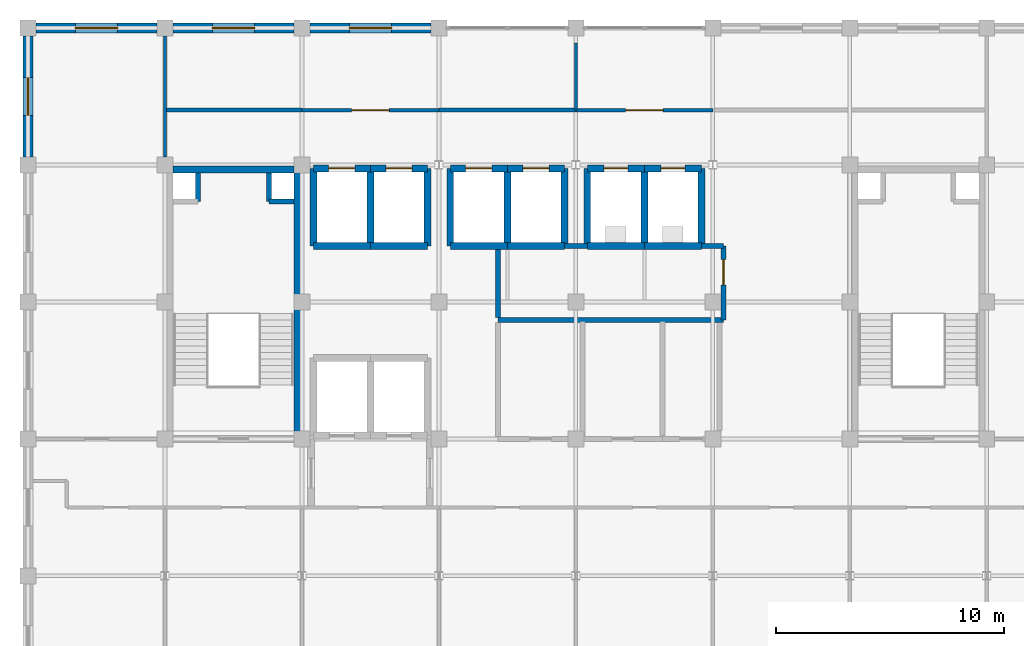
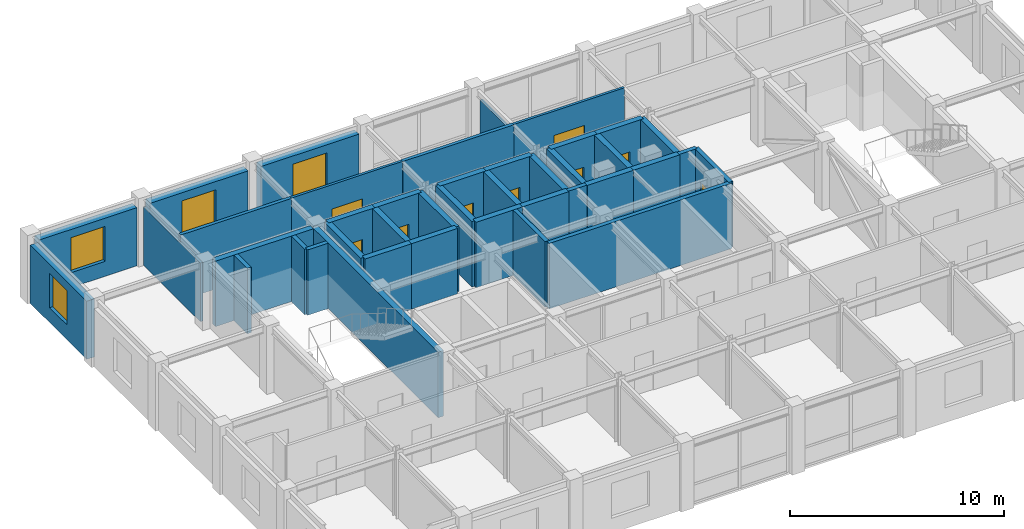
# One storey, part 9 of 12: 41 walls, 9 doors, 4 windows, 13 openings.
"""IFC4 building model written with IfcOpenShell, lengths in metres."""

import ifcopenshell
import ifcopenshell.guid

model = None  # the IFC model being written
_history = None  # IfcOwnerHistory: only IFC2X3 demands one
_inside = {}  # id of a spatial element -> (the spatial element, [elements in it])
_under = {}  # id of a project, library or spatial element -> (it, [spatial elements below it])
_declared = {}  # id of a project -> (the project, [libraries it declares])
_typed = {}  # id of a type object -> (the type object, [elements of that type])
_made_of = {}  # id of a material, layer set ... -> (it, [elements and type objects made of it])


def new_model(schema):
    """Start an empty IFC model of exactly this schema.

    Asked for "IFC4X3", IfcOpenShell would pick the latest addendum, in which some entities
    have other attributes; the version numbers below select the first issue.
    IFC2X3 requires an IfcOwnerHistory on every rooted entity: one is made here for all.
    """
    global model, _history
    if schema == "IFC4X3":
        model = ifcopenshell.file(schema_version=(4, 3, 0, 0))
    else:
        model = ifcopenshell.file(schema=schema)
    _inside.clear()
    _under.clear()
    _declared.clear()
    _typed.clear()
    _made_of.clear()
    _history = None
    if model.schema == "IFC2X3":
        org = make("IfcOrganization", Name="unknown")
        user = make(
            "IfcPersonAndOrganization",
            ThePerson=make("IfcPerson", FamilyName="unknown"),
            TheOrganization=org,
        )
        app = make(
            "IfcApplication",
            ApplicationDeveloper=org,
            Version="unknown",
            ApplicationFullName="unknown",
            ApplicationIdentifier="unknown",
        )
        _history = make(
            "IfcOwnerHistory",
            OwningUser=user,
            OwningApplication=app,
            ChangeAction="ADDED",
            CreationDate=0,
        )
    return model


def make(cls, **values):
    """One entity of the class cls with the attributes given. An attribute that is None is left unset."""
    return model.create_entity(
        cls, **{name: value for name, value in values.items() if value is not None}
    )


def rooted(cls, **values):
    """An entity with a GlobalId (a new one), such as an element, a storey or a relation."""
    return make(cls, GlobalId=ifcopenshell.guid.new(), OwnerHistory=_history, **values)


def si_unit(unit_type, name, prefix=None):
    """IfcSIUnit, for example si_unit("LENGTHUNIT", "METRE", prefix="MILLI")."""
    return make("IfcSIUnit", UnitType=unit_type, Prefix=prefix, Name=name)


def assignment(units):
    """IfcUnitAssignment: the units of a project."""
    return None if units is None else make("IfcUnitAssignment", Units=units)


def point(xyz):
    """IfcCartesianPoint."""
    return None if xyz is None else make("IfcCartesianPoint", Coordinates=xyz)


def direction(xyz):
    """IfcDirection."""
    return None if xyz is None else make("IfcDirection", DirectionRatios=xyz)


def frame(location, z_axis=None, x_axis=None):
    """IfcAxis2Placement3D, a coordinate frame: its origin and axes. An axis left out is left unset."""
    return make(
        "IfcAxis2Placement3D",
        Location=point(location),
        Axis=direction(z_axis),
        RefDirection=direction(x_axis),
    )


def frame_2d(location, x_axis=None):
    """IfcAxis2Placement2D, a coordinate frame in the plane: its origin and x axis."""
    return make(
        "IfcAxis2Placement2D", Location=point(location), RefDirection=direction(x_axis)
    )


def origin():
    """The frame at (0, 0, 0) with its axes left unset."""
    return frame((0.0, 0.0, 0.0))


def place(relative_to, where):
    """IfcLocalPlacement: puts the frame where relative to a parent placement (None: the world)."""
    return make(
        "IfcLocalPlacement", PlacementRelTo=relative_to, RelativePlacement=where
    )


def context(
    kind, dimensions, precision=None, world=None, true_north=None, identifier=None
):
    """IfcGeometricRepresentationContext, for example the 3D "Model" context."""
    return make(
        "IfcGeometricRepresentationContext",
        ContextIdentifier=identifier,
        ContextType=kind,
        CoordinateSpaceDimension=dimensions,
        Precision=precision,
        WorldCoordinateSystem=world,
        TrueNorth=true_north,
    )


def subcontext(parent, identifier, kind, view, scale=None):
    """IfcGeometricRepresentationSubContext, for example "Body" below "Model"."""
    return make(
        "IfcGeometricRepresentationSubContext",
        ContextIdentifier=identifier,
        ContextType=kind,
        ParentContext=parent,
        TargetScale=scale,
        TargetView=view,
    )


def project(units=None, contexts=None):
    """IfcProject with its units and contexts."""
    return rooted(
        "IfcProject",
        Name="project",
        RepresentationContexts=contexts,
        UnitsInContext=assignment(units),
    )


def spatial(cls, under=None, at=None, **own):
    """A site, building, storey or space (cls), placed at a placement, below another one or the project."""
    s = rooted(cls, ObjectPlacement=at, **own)
    if under is not None:
        _under.setdefault(under.id(), (under, []))[1].append(s)
    return s


def profile(cls, at=None, kind="AREA", **sizes):
    """A parametric profile (cls). Its sizes go by their IFC names, for example OverallWidth=200.0."""
    return make(cls, ProfileType=kind, Position=at, **sizes)


def rectangle(**sizes):
    """IfcRectangleProfileDef."""
    return profile("IfcRectangleProfileDef", **sizes)


def extrude(swept, where, along, depth):
    """IfcExtrudedAreaSolid: the profile swept, set in the frame where, extruded along a direction by depth."""
    return make(
        "IfcExtrudedAreaSolid",
        SweptArea=swept,
        Position=where,
        ExtrudedDirection=direction(along),
        Depth=depth,
    )


def shape(context_of_items, identifier, shape_type, items):
    """IfcShapeRepresentation: the items that make up one representation, for example the "Body"."""
    return make(
        "IfcShapeRepresentation",
        ContextOfItems=context_of_items,
        RepresentationIdentifier=identifier,
        RepresentationType=shape_type,
        Items=items,
    )


def material(Name=None, Category=None):
    """IfcMaterial."""
    return make("IfcMaterial", Name=Name, Category=Category)


def layer(
    of_material, thickness, ventilated=None, Name=None, Category=None, Priority=None
):
    """IfcMaterialLayer: one layer of a wall or slab, of a material (None: an air gap)."""
    return make(
        "IfcMaterialLayer",
        Material=of_material,
        LayerThickness=thickness,
        IsVentilated=ventilated,
        Name=Name,
        Category=Category,
        Priority=Priority,
    )


def layer_set(layers, Name=None):
    """IfcMaterialLayerSet."""
    return make("IfcMaterialLayerSet", MaterialLayers=layers, LayerSetName=Name)


def made_of(thing, what):
    """Note that an element or type object is made of a material, layer set ...; save() writes the relation."""
    if what is not None:
        _made_of.setdefault(what.id(), (what, []))[1].append(thing)
    return thing


def type_object(cls, material=None, **own):
    """A type object (cls), such as IfcWallType, which elements share."""
    return made_of(rooted(cls, **own), material)


def element(
    cls,
    number,
    at=None,
    inside=None,
    cuts=None,
    type_object=None,
    material=None,
    context=None,
    identifier="Body",
    shape_type=None,
    held_by="IfcProductDefinitionShape",
    body=None,
    shapes=None,
    **own,
):
    """One element of the class cls, such as IfcWall. Its Tag is "e" and its number.

    at: its placement. inside: the storey or other place that contains it. cuts: it is an
    opening in that element (IfcRelVoidsElement). A single representation is given by context,
    identifier, shape_type and body (its items); several are given by shapes. held_by: the class
    of the entity that holds the representations. save() writes the other relations.
    """
    e = rooted(cls, Tag="e%d" % number, ObjectPlacement=at, **own)
    if body is not None:
        shapes = [shape(context, identifier, shape_type, body)]
    if shapes is not None:
        e.Representation = make(held_by, Representations=shapes)
    if inside is not None:
        _inside.setdefault(inside.id(), (inside, []))[1].append(e)
    if cuts is not None:
        rooted(
            "IfcRelVoidsElement", RelatingBuildingElement=cuts, RelatedOpeningElement=e
        )
    if type_object is not None:
        _typed.setdefault(type_object.id(), (type_object, []))[1].append(e)
    return made_of(e, material)


def fill(opening, filler):
    """IfcRelFillsElement: the door or window that sits in an opening."""
    return rooted(
        "IfcRelFillsElement",
        RelatingOpeningElement=opening,
        RelatedBuildingElement=filler,
    )


def aggregate(whole, parts):
    """IfcRelAggregates: a whole, such as a stair, and the parts it consists of."""
    return rooted("IfcRelAggregates", RelatingObject=whole, RelatedObjects=parts)


def save(model, path):
    """Write the relations noted so far, then the file.

    IfcRelAggregates (storeys below a building ...), IfcRelContainedInSpatialStructure (elements
    in a storey), IfcRelDefinesByType, IfcRelAssociatesMaterial and IfcRelDeclares: one each for
    every whole, place, type object, material and project.
    """
    for whole, parts in _under.values():
        aggregate(whole, parts)
    for where, things in _inside.values():
        rooted(
            "IfcRelContainedInSpatialStructure",
            RelatedElements=things,
            RelatingStructure=where,
        )
    for kind, things in _typed.values():
        rooted("IfcRelDefinesByType", RelatedObjects=things, RelatingType=kind)
    for what, things in _made_of.values():
        rooted("IfcRelAssociatesMaterial", RelatedObjects=things, RelatingMaterial=what)
    for by, libraries in _declared.values():
        rooted("IfcRelDeclares", RelatingContext=by, RelatedDefinitions=libraries)
    model.write(path)


model = new_model("IFC4")

# Units and contexts
model_context = context("Model", 3, precision=1e-05, world=origin(), true_north=direction((0.0, 1.0)))
body_context = subcontext(model_context, "Body", "Model", "MODEL_VIEW")
ifc_project = project(units=[si_unit("LENGTHUNIT", "METRE"), si_unit("AREAUNIT", "SQUARE_METRE"), si_unit("VOLUMEUNIT", "CUBIC_METRE"), si_unit("PLANEANGLEUNIT", "RADIAN"), si_unit("MASSUNIT", "GRAM", prefix="KILO")], contexts=[model_context])

# Site, building, storey
site_placement = place(None, origin())
site = spatial("IfcSite", under=ifc_project, at=site_placement, CompositionType="ELEMENT")
building_placement = place(site_placement, origin())
building = spatial("IfcBuilding", under=site, at=building_placement, Name="Zlatovratsky Civic Hall", CompositionType="ELEMENT")
storey_placement = place(building_placement, frame((0.0, 0.0, 40.5)))
storey = spatial("IfcBuildingStorey", under=building, at=storey_placement, Name="L10", CompositionType="ELEMENT", Elevation=40.5)

# Walls
ifc_material_1 = material(Name="Acoustic ceramic blockwork", Category="masonry")
ifc_layer_1 = layer(ifc_material_1, 0.179931640625)
ifc_layer_set_1 = layer_set([ifc_layer_1], Name="Acoustic ceramic blockwork")
wall_type_1 = type_object("IfcWallType", Name="Wall_AcousticChamberPartition_180", PredefinedType="PARTITIONING", material=ifc_layer_set_1)
for number, where, z_axis, x_axis, name in (
    (1, (66.0, 98.39990234375, 0.0), (0.0, 0.0, 1.0), (1.0, 0.0, 0.0), "WL-6518"),
    (2, (78.0, 98.39990234375, 0.0), (0.0, 0.0, 1.0), (1.0, 0.0, 0.0), "WL-6519"),
):
    element("IfcWall", number, at=place(storey_placement, frame(where, z_axis=z_axis, x_axis=x_axis)), inside=storey, type_object=wall_type_1, Name=name, PredefinedType="PARTITIONING", context=body_context, shape_type="SweptSolid", body=[
        extrude(rectangle(XDim=6.0, YDim=0.179931640625, at=frame_2d((3.0, 0.0))), origin(), (0.0, 0.0, 1.0), 3.739990234375),
    ])

# Wall, opening, door
ifc_material_2 = material(Name="Fire-rated gypsum board framing", Category="gypsum")
ifc_layer_2 = layer(ifc_material_2, 0.139892578125)
ifc_layer_set_2 = layer_set([ifc_layer_2], Name="Fire-rated gypsum board framing")
wall_type_2 = type_object("IfcWallType", Name="Wall_OfficePartition_140", PredefinedType="PARTITIONING", material=ifc_layer_set_2)
wall_1_placement = place(storey_placement, frame((72.0, 98.39990234375, 0.0), z_axis=(0.0, 0.0, 1.0), x_axis=(1.0, 0.0, 0.0)))
wall_1 = element("IfcWall", 3, at=wall_1_placement, inside=storey, type_object=wall_type_2, Name="WL-6499", PredefinedType="PARTITIONING", context=body_context, shape_type="SweptSolid", body=[
    extrude(rectangle(XDim=6.0, YDim=0.139892578125, at=frame_2d((3.0, 0.0))), origin(), (0.0, 0.0, 1.0), 3.739990234375),
])
opening_1_placement = place(wall_1_placement, frame((2.175048828125, 0.0, 0.0)))
opening_1 = element("IfcOpeningElement", 4, at=opening_1_placement, cuts=wall_1, Name="Opening D-25", PredefinedType="OPENING", context=body_context, shape_type="SweptSolid", body=[
    extrude(rectangle(XDim=1.64990234375, YDim=2.35009765625, at=frame_2d((0.824951171875, 1.175048828125))), frame((0.0, 0.0849609375, 0.0), z_axis=(0.0, -1.0, 0.0), x_axis=(1.0, 0.0, 0.0)), (0.0, 0.0, 1.0), 0.169677734375),
])
ifc_material_3 = material(Name="Solid oak joinery in steel frame", Category="steel")
door_type_1 = type_object("IfcDoorType", Name="Door_OpenStudioDouble_1650x2350", OperationType="DOUBLE_DOOR_SINGLE_SWING", PredefinedType="DOOR", material=ifc_material_3)
door_1_placement = place(opening_1_placement, origin())
door_1 = element("IfcDoor", 5, at=door_1_placement, inside=storey, type_object=door_type_1, Name="DR-5448", OperationType="DOUBLE_DOOR_SINGLE_SWING", OverallHeight=2.35009765625, OverallWidth=1.64990234375, PredefinedType="DOOR", context=body_context, shape_type="SweptSolid", body=[
    extrude(rectangle(XDim=1.64990234375, YDim=2.35009765625, at=frame_2d((0.824951171875, 1.175048828125))), frame((0.0, 0.02490234375, 0.0), z_axis=(0.0, -1.0, 0.0), x_axis=(1.0, 0.0, 0.0)), (0.0, 0.0, 1.0), 0.050048828125),
])
fill(opening_1, door_1)

wall_2_placement = place(storey_placement, frame((84.0, 98.39990234375, 0.0), z_axis=(0.0, 0.0, 1.0), x_axis=(1.0, 0.0, 0.0)))
wall_2 = element("IfcWall", 6, at=wall_2_placement, inside=storey, type_object=wall_type_2, Name="WL-6500", PredefinedType="PARTITIONING", context=body_context, shape_type="SweptSolid", body=[
    extrude(rectangle(XDim=6.0, YDim=0.139892578125, at=frame_2d((3.0, 0.0))), origin(), (0.0, 0.0, 1.0), 3.739990234375),
])
opening_2_placement = place(wall_2_placement, frame((2.175048828125, 0.0, 0.0)))
opening_2 = element("IfcOpeningElement", 7, at=opening_2_placement, cuts=wall_2, Name="Opening D-25", PredefinedType="OPENING", context=body_context, shape_type="SweptSolid", body=[
    extrude(rectangle(XDim=1.64990234375, YDim=2.35009765625, at=frame_2d((0.824951171875, 1.175048828125))), frame((0.0, 0.0849609375, 0.0), z_axis=(0.0, -1.0, 0.0), x_axis=(1.0, 0.0, 0.0)), (0.0, 0.0, 1.0), 0.169677734375),
])
door_2_placement = place(opening_2_placement, origin())
door_2 = element("IfcDoor", 8, at=door_2_placement, inside=storey, type_object=door_type_1, Name="DR-5449", OperationType="DOUBLE_DOOR_SINGLE_SWING", OverallHeight=2.35009765625, OverallWidth=1.64990234375, PredefinedType="DOOR", context=body_context, shape_type="SweptSolid", body=[
    extrude(rectangle(XDim=1.64990234375, YDim=2.35009765625, at=frame_2d((0.824951171875, 1.175048828125))), frame((0.0, 0.02490234375, 0.0), z_axis=(0.0, -1.0, 0.0), x_axis=(1.0, 0.0, 0.0)), (0.0, 0.0, 1.0), 0.050048828125),
])
fill(opening_2, door_2)

# Walls
wall_3_placement = place(storey_placement, frame((84.0, 98.39990234375, 0.0), z_axis=(0.0, 0.0, 1.0), x_axis=(0.0, 1.0, 0.0)))
element("IfcWall", 9, at=wall_3_placement, inside=storey, type_object=wall_type_2, Name="WL-6508", PredefinedType="PARTITIONING", context=body_context, shape_type="SweptSolid", body=[
    extrude(rectangle(XDim=2.9501953125, YDim=0.139892578125, at=frame_2d((1.47509765625, 0.0))), origin(), (0.0, 0.0, 1.0), 3.347900390625),
])
wall_4_placement = place(storey_placement, frame((66.0, 96.35009765625, 0.0), z_axis=(0.0, 0.0, 1.0), x_axis=(0.0, 1.0, 0.0)))
element("IfcWall", 10, at=wall_4_placement, inside=storey, type_object=wall_type_2, Name="WL-6521", PredefinedType="PARTITIONING", context=body_context, shape_type="SweptSolid", body=[
    extrude(rectangle(XDim=5.2998046875, YDim=0.139892578125, at=frame_2d((2.64990234375, 0.0))), origin(), (0.0, 0.0, 1.0), 3.347900390625),
])
ifc_layer_3 = layer(ifc_material_1, 0.219970703125)
ifc_layer_set_3 = layer_set([ifc_layer_3], Name="Acoustic ceramic blockwork")
wall_type_3 = type_object("IfcWallType", Name="Wall_SanitaryWetCore_220", PredefinedType="PARTITIONING", material=ifc_layer_set_3)
for number, where, z_axis, x_axis, name in (
    (11, (67.449951171875, 94.39990234375, 0.0), (0.0, 0.0, 1.0), (0.0, 1.0, 0.0), "WL-5085"),
    (12, (70.550048828125, 94.39990234375, 0.0), (0.0, 0.0, 1.0), (0.0, 1.0, 0.0), "WL-5087"),
):
    element("IfcWall", number, at=place(storey_placement, frame(where, z_axis=z_axis, x_axis=x_axis)), inside=storey, type_object=wall_type_3, Name=name, PredefinedType="PARTITIONING", context=body_context, shape_type="SweptSolid", body=[
        extrude(rectangle(XDim=1.25, YDim=0.219970703125, at=frame_2d((0.625, 0.0))), origin(), (0.0, 0.0, 1.0), 3.739990234375),
    ])
wall_5_placement = place(storey_placement, frame((70.550048828125, 94.39990234375, 0.0), z_axis=(0.0, 0.0, 1.0), x_axis=(1.0, 0.0, 0.0)))
element("IfcWall", 13, at=wall_5_placement, inside=storey, type_object=wall_type_3, Name="WL-5088", PredefinedType="PARTITIONING", context=body_context, shape_type="SweptSolid", body=[
    extrude(rectangle(XDim=1.099853515625, YDim=0.219970703125, at=frame_2d((0.5498046875, 0.0))), origin(), (0.0, 0.0, 1.0), 3.739990234375),
])
wall_6_placement = place(storey_placement, frame((80.60009765625, 89.199951171875, 0.0), z_axis=(0.0, 0.0, 1.0), x_axis=(1.0, 0.0, 0.0)))
element("IfcWall", 14, at=wall_6_placement, inside=storey, type_object=wall_type_3, Name="WL-6487", PredefinedType="PARTITIONING", context=body_context, shape_type="SweptSolid", body=[
    extrude(rectangle(XDim=9.869873046875, YDim=0.219970703125, at=frame_2d((4.93505859375, 0.0))), origin(), (0.0, 0.0, 1.0), 3.739990234375),
])

# Wall, opening, door
wall_7_placement = place(storey_placement, frame((90.469970703125, 89.199951171875, 0.0), z_axis=(0.0, 0.0, 1.0), x_axis=(0.0, 1.0, 0.0)))
wall_7 = element("IfcWall", 15, at=wall_7_placement, inside=storey, type_object=wall_type_3, Name="WL-6488", PredefinedType="PARTITIONING", context=body_context, shape_type="SweptSolid", body=[
    extrude(rectangle(XDim=3.25, YDim=0.219970703125, at=frame_2d((1.625, 0.0))), origin(), (0.0, 0.0, 1.0), 3.739990234375),
])
opening_3_placement = place(wall_7_placement, frame((1.550048828125, 0.0, 0.0)))
opening_3 = element("IfcOpeningElement", 16, at=opening_3_placement, cuts=wall_7, Name="Opening D-30", PredefinedType="OPENING", context=body_context, shape_type="SweptSolid", body=[
    extrude(rectangle(XDim=1.10009765625, YDim=2.14990234375, at=frame_2d((0.550048828125, 1.074951171875))), frame((0.0, 0.125, 0.0), z_axis=(0.0, -1.0, 0.0), x_axis=(1.0, 0.0, 0.0)), (0.0, 0.0, 1.0), 0.249755859375),
])
ifc_material_4 = material(Name="Insulated painted fire-rated steel leaf", Category="steel")
door_type_2 = type_object("IfcDoorType", Name="Door_ElectricalRoom_1100x2150", OperationType="NOTDEFINED", PredefinedType="DOOR", material=ifc_material_4)
door_3_placement = place(opening_3_placement, origin())
door_3 = element("IfcDoor", 17, at=door_3_placement, inside=storey, type_object=door_type_2, Name="DR-5437", OperationType="SINGLE_SWING_RIGHT", OverallHeight=2.14990234375, OverallWidth=1.10009765625, PredefinedType="DOOR", context=body_context, shape_type="SweptSolid", body=[
    extrude(rectangle(XDim=1.10009765625, YDim=2.14990234375, at=frame_2d((0.550048828125, 1.074951171875))), frame((0.0, 0.02490234375, 0.0), z_axis=(0.0, -1.0, 0.0), x_axis=(1.0, 0.0, 0.0)), (0.0, 0.0, 1.0), 0.050048828125),
])
fill(opening_3, door_3)

# Walls
wall_8_placement = place(storey_placement, frame((80.60009765625, 89.31005859375, 0.0), z_axis=(0.0, 0.0, 1.0), x_axis=(0.0, 1.0, 0.0)))
element("IfcWall", 18, at=wall_8_placement, inside=storey, type_object=wall_type_3, Name="WL-6511", PredefinedType="PARTITIONING", context=body_context, shape_type="SweptSolid", body=[
    extrude(rectangle(XDim=2.989990234375, YDim=0.219970703125, at=frame_2d((1.4951171875, 0.0))), origin(), (0.0, 0.0, 1.0), 3.739990234375),
])
wall_9_placement = place(storey_placement, frame((83.5, 92.449951171875, 0.0), z_axis=(0.0, 0.0, 1.0), x_axis=(1.0, 0.0, 0.0)))
element("IfcWall", 19, at=wall_9_placement, inside=storey, type_object=wall_type_3, Name="WL-6512", PredefinedType="PARTITIONING", context=body_context, shape_type="SweptSolid", body=[
    extrude(rectangle(XDim=1.0, YDim=0.219970703125, at=frame_2d((0.5, 0.0))), origin(), (0.0, 0.0, 1.0), 3.739990234375),
])
wall_10_placement = place(storey_placement, frame((89.5, 92.449951171875, 0.0), z_axis=(0.0, 0.0, 1.0), x_axis=(1.0, 0.0, 0.0)))
element("IfcWall", 20, at=wall_10_placement, inside=storey, type_object=wall_type_3, Name="WL-6513", PredefinedType="PARTITIONING", context=body_context, shape_type="SweptSolid", body=[
    extrude(rectangle(XDim=0.969970703125, YDim=0.219970703125, at=frame_2d((0.48486328125, 0.0))), origin(), (0.0, 0.0, 1.0), 3.739990234375),
])
ifc_material_5 = material(Name="Concrete C35/45 (B40)", Category="concrete")
ifc_layer_4 = layer(ifc_material_5, 0.300048828125)
ifc_layer_set_4 = layer_set([ifc_layer_4], Name="Concrete C35/45 (B40)")
wall_type_4 = type_object("IfcWallType", Name="Wall_StairAndLiftShaft_300", PredefinedType="SHEAR", material=ifc_layer_set_4)
wall_11_placement = place(storey_placement, frame((66.35009765625, 95.800048828125, 0.0), z_axis=(0.0, 0.0, 1.0), x_axis=(1.0, 0.0, 0.0)))
element("IfcWall", 21, at=wall_11_placement, inside=storey, type_object=wall_type_4, Name="WL-5082", PredefinedType="SHEAR", context=body_context, shape_type="SweptSolid", body=[
    extrude(rectangle(XDim=5.2998046875, YDim=0.300048828125, at=frame_2d((2.64990234375, 0.0))), origin(), (0.0, 0.0, 1.0), 3.739990234375),
])
wall_12_placement = place(storey_placement, frame((71.800048828125, 84.0, 0.0), z_axis=(0.0, 0.0, 1.0), x_axis=(0.0, 1.0, 0.0)))
element("IfcWall", 22, at=wall_12_placement, inside=storey, type_object=wall_type_4, Name="WL-5084", PredefinedType="SHEAR", context=body_context, shape_type="SweptSolid", body=[
    extrude(rectangle(XDim=11.800048828125, YDim=0.300048828125, at=frame_2d((5.89990234375, 0.0))), origin(), (0.0, 0.0, 1.0), 3.739990234375),
])

# Wall, opening, door
wall_13_placement = place(storey_placement, frame((72.5, 95.85009765625, 0.0), z_axis=(0.0, 0.0, 1.0), x_axis=(1.0, 0.0, 0.0)))
wall_13 = element("IfcWall", 23, at=wall_13_placement, inside=storey, type_object=wall_type_4, Name="WL-5656", PredefinedType="SHEAR", context=body_context, shape_type="SweptSolid", body=[
    extrude(rectangle(XDim=2.5, YDim=0.300048828125, at=frame_2d((1.25, 0.0))), origin(), (0.0, 0.0, 1.0), 3.739990234375),
])
opening_4_placement = place(wall_13_placement, frame((0.675048828125, 0.0, 0.0)))
opening_4 = element("IfcOpeningElement", 24, at=opening_4_placement, cuts=wall_13, Name="Opening LD-02", PredefinedType="OPENING", context=body_context, shape_type="SweptSolid", body=[
    extrude(rectangle(XDim=1.14990234375, YDim=2.14990234375, at=frame_2d((0.574951171875, 1.074951171875))), frame((0.0, 0.1650390625, 0.0), z_axis=(0.0, -1.0, 0.0), x_axis=(1.0, 0.0, 0.0)), (0.0, 0.0, 1.0), 0.329833984375),
])
ifc_material_6 = material(Name="Brushed stainless steel AISI 304", Category="steel")
door_type_3 = type_object("IfcDoorType", Name="Door_LiftLandingHighRise_1150x2150", OperationType="DOUBLE_DOOR_SLIDING", PredefinedType="DOOR", material=ifc_material_6)
door_4_placement = place(opening_4_placement, origin())
door_4 = element("IfcDoor", 25, at=door_4_placement, inside=storey, type_object=door_type_3, Name="Lift landing door LD-5107", OperationType="DOUBLE_DOOR_SLIDING", OverallHeight=2.14990234375, OverallWidth=1.14990234375, PredefinedType="DOOR", context=body_context, shape_type="SweptSolid", body=[
    extrude(rectangle(XDim=1.14990234375, YDim=2.14990234375, at=frame_2d((0.574951171875, 1.074951171875))), frame((0.0, 0.02490234375, 0.0), z_axis=(0.0, -1.0, 0.0), x_axis=(1.0, 0.0, 0.0)), (0.0, 0.0, 1.0), 0.050048828125),
])
fill(opening_4, door_4)

# Walls
wall_14_placement = place(storey_placement, frame((72.5, 92.449951171875, 0.0), z_axis=(0.0, 0.0, 1.0), x_axis=(1.0, 0.0, 0.0)))
element("IfcWall", 26, at=wall_14_placement, inside=storey, type_object=wall_type_4, Name="WL-5657", PredefinedType="SHEAR", context=body_context, shape_type="SweptSolid", body=[
    extrude(rectangle(XDim=2.5, YDim=0.300048828125, at=frame_2d((1.25, 0.0))), origin(), (0.0, 0.0, 1.0), 3.739990234375),
])
wall_15_placement = place(storey_placement, frame((72.5, 92.449951171875, 0.0), z_axis=(0.0, 0.0, 1.0), x_axis=(0.0, 1.0, 0.0)))
element("IfcWall", 27, at=wall_15_placement, inside=storey, type_object=wall_type_4, Name="WL-5658", PredefinedType="SHEAR", context=body_context, shape_type="SweptSolid", body=[
    extrude(rectangle(XDim=3.400146484375, YDim=0.300048828125, at=frame_2d((1.7001953125, 0.0))), origin(), (0.0, 0.0, 1.0), 3.739990234375),
])

# Wall, opening, door
wall_16_placement = place(storey_placement, frame((75.0, 95.85009765625, 0.0), z_axis=(0.0, 0.0, 1.0), x_axis=(1.0, 0.0, 0.0)))
wall_16 = element("IfcWall", 28, at=wall_16_placement, inside=storey, type_object=wall_type_4, Name="WL-5723", PredefinedType="SHEAR", context=body_context, shape_type="SweptSolid", body=[
    extrude(rectangle(XDim=2.5, YDim=0.300048828125, at=frame_2d((1.25, 0.0))), origin(), (0.0, 0.0, 1.0), 3.739990234375),
])
opening_5_placement = place(wall_16_placement, frame((0.675048828125, 0.0, 0.0)))
opening_5 = element("IfcOpeningElement", 29, at=opening_5_placement, cuts=wall_16, Name="Opening LD-02", PredefinedType="OPENING", context=body_context, shape_type="SweptSolid", body=[
    extrude(rectangle(XDim=1.14990234375, YDim=2.14990234375, at=frame_2d((0.574951171875, 1.074951171875))), frame((0.0, 0.1650390625, 0.0), z_axis=(0.0, -1.0, 0.0), x_axis=(1.0, 0.0, 0.0)), (0.0, 0.0, 1.0), 0.329833984375),
])
door_5_placement = place(opening_5_placement, origin())
door_5 = element("IfcDoor", 30, at=door_5_placement, inside=storey, type_object=door_type_3, Name="Lift landing door LD-5126", OperationType="DOUBLE_DOOR_SLIDING", OverallHeight=2.14990234375, OverallWidth=1.14990234375, PredefinedType="DOOR", context=body_context, shape_type="SweptSolid", body=[
    extrude(rectangle(XDim=1.14990234375, YDim=2.14990234375, at=frame_2d((0.574951171875, 1.074951171875))), frame((0.0, 0.02490234375, 0.0), z_axis=(0.0, -1.0, 0.0), x_axis=(1.0, 0.0, 0.0)), (0.0, 0.0, 1.0), 0.050048828125),
])
fill(opening_5, door_5)

# Walls
wall_17_placement = place(storey_placement, frame((75.0, 92.449951171875, 0.0), z_axis=(0.0, 0.0, 1.0), x_axis=(1.0, 0.0, 0.0)))
element("IfcWall", 31, at=wall_17_placement, inside=storey, type_object=wall_type_4, Name="WL-5724", PredefinedType="SHEAR", context=body_context, shape_type="SweptSolid", body=[
    extrude(rectangle(XDim=2.5, YDim=0.300048828125, at=frame_2d((1.25, 0.0))), origin(), (0.0, 0.0, 1.0), 3.739990234375),
])
for number, where, z_axis, x_axis, name in (
    (32, (75.0, 92.449951171875, 0.0), (0.0, 0.0, 1.0), (0.0, 1.0, 0.0), "WL-5725"),
    (33, (77.5, 92.449951171875, 0.0), (0.0, 0.0, 1.0), (0.0, 1.0, 0.0), "WL-5726"),
):
    element("IfcWall", number, at=place(storey_placement, frame(where, z_axis=z_axis, x_axis=x_axis)), inside=storey, type_object=wall_type_4, Name=name, PredefinedType="SHEAR", context=body_context, shape_type="SweptSolid", body=[
        extrude(rectangle(XDim=3.400146484375, YDim=0.300048828125, at=frame_2d((1.7001953125, 0.0))), origin(), (0.0, 0.0, 1.0), 3.739990234375),
    ])

# Wall, opening, door
wall_18_placement = place(storey_placement, frame((78.5, 95.85009765625, 0.0), z_axis=(0.0, 0.0, 1.0), x_axis=(1.0, 0.0, 0.0)))
wall_18 = element("IfcWall", 34, at=wall_18_placement, inside=storey, type_object=wall_type_4, Name="WL-5789", PredefinedType="SHEAR", context=body_context, shape_type="SweptSolid", body=[
    extrude(rectangle(XDim=2.5, YDim=0.300048828125, at=frame_2d((1.25, 0.0))), origin(), (0.0, 0.0, 1.0), 3.739990234375),
])
opening_6_placement = place(wall_18_placement, frame((0.675048828125, 0.0, 0.0)))
opening_6 = element("IfcOpeningElement", 35, at=opening_6_placement, cuts=wall_18, Name="Opening LD-02", PredefinedType="OPENING", context=body_context, shape_type="SweptSolid", body=[
    extrude(rectangle(XDim=1.14990234375, YDim=2.14990234375, at=frame_2d((0.574951171875, 1.074951171875))), frame((0.0, 0.1650390625, 0.0), z_axis=(0.0, -1.0, 0.0), x_axis=(1.0, 0.0, 0.0)), (0.0, 0.0, 1.0), 0.329833984375),
])
door_6_placement = place(opening_6_placement, origin())
door_6 = element("IfcDoor", 36, at=door_6_placement, inside=storey, type_object=door_type_3, Name="Lift landing door LD-5145", OperationType="DOUBLE_DOOR_SLIDING", OverallHeight=2.14990234375, OverallWidth=1.14990234375, PredefinedType="DOOR", context=body_context, shape_type="SweptSolid", body=[
    extrude(rectangle(XDim=1.14990234375, YDim=2.14990234375, at=frame_2d((0.574951171875, 1.074951171875))), frame((0.0, 0.02490234375, 0.0), z_axis=(0.0, -1.0, 0.0), x_axis=(1.0, 0.0, 0.0)), (0.0, 0.0, 1.0), 0.050048828125),
])
fill(opening_6, door_6)

# Walls
wall_19_placement = place(storey_placement, frame((78.5, 92.449951171875, 0.0), z_axis=(0.0, 0.0, 1.0), x_axis=(1.0, 0.0, 0.0)))
element("IfcWall", 37, at=wall_19_placement, inside=storey, type_object=wall_type_4, Name="WL-5790", PredefinedType="SHEAR", context=body_context, shape_type="SweptSolid", body=[
    extrude(rectangle(XDim=2.5, YDim=0.300048828125, at=frame_2d((1.25, 0.0))), origin(), (0.0, 0.0, 1.0), 3.739990234375),
])
wall_20_placement = place(storey_placement, frame((78.5, 92.449951171875, 0.0), z_axis=(0.0, 0.0, 1.0), x_axis=(0.0, 1.0, 0.0)))
element("IfcWall", 38, at=wall_20_placement, inside=storey, type_object=wall_type_4, Name="WL-5791", PredefinedType="SHEAR", context=body_context, shape_type="SweptSolid", body=[
    extrude(rectangle(XDim=3.400146484375, YDim=0.300048828125, at=frame_2d((1.7001953125, 0.0))), origin(), (0.0, 0.0, 1.0), 3.739990234375),
])

# Wall, opening, door
wall_21_placement = place(storey_placement, frame((81.0, 95.85009765625, 0.0), z_axis=(0.0, 0.0, 1.0), x_axis=(1.0, 0.0, 0.0)))
wall_21 = element("IfcWall", 39, at=wall_21_placement, inside=storey, type_object=wall_type_4, Name="WL-5856", PredefinedType="SHEAR", context=body_context, shape_type="SweptSolid", body=[
    extrude(rectangle(XDim=2.5, YDim=0.300048828125, at=frame_2d((1.25, 0.0))), origin(), (0.0, 0.0, 1.0), 3.739990234375),
])
opening_7_placement = place(wall_21_placement, frame((0.675048828125, 0.0, 0.0)))
opening_7 = element("IfcOpeningElement", 40, at=opening_7_placement, cuts=wall_21, Name="Opening LD-02", PredefinedType="OPENING", context=body_context, shape_type="SweptSolid", body=[
    extrude(rectangle(XDim=1.14990234375, YDim=2.14990234375, at=frame_2d((0.574951171875, 1.074951171875))), frame((0.0, 0.1650390625, 0.0), z_axis=(0.0, -1.0, 0.0), x_axis=(1.0, 0.0, 0.0)), (0.0, 0.0, 1.0), 0.329833984375),
])
door_7_placement = place(opening_7_placement, origin())
door_7 = element("IfcDoor", 41, at=door_7_placement, inside=storey, type_object=door_type_3, Name="Lift landing door LD-5164", OperationType="DOUBLE_DOOR_SLIDING", OverallHeight=2.14990234375, OverallWidth=1.14990234375, PredefinedType="DOOR", context=body_context, shape_type="SweptSolid", body=[
    extrude(rectangle(XDim=1.14990234375, YDim=2.14990234375, at=frame_2d((0.574951171875, 1.074951171875))), frame((0.0, 0.02490234375, 0.0), z_axis=(0.0, -1.0, 0.0), x_axis=(1.0, 0.0, 0.0)), (0.0, 0.0, 1.0), 0.050048828125),
])
fill(opening_7, door_7)

# Walls
wall_22_placement = place(storey_placement, frame((81.0, 92.449951171875, 0.0), z_axis=(0.0, 0.0, 1.0), x_axis=(1.0, 0.0, 0.0)))
element("IfcWall", 42, at=wall_22_placement, inside=storey, type_object=wall_type_4, Name="WL-5857", PredefinedType="SHEAR", context=body_context, shape_type="SweptSolid", body=[
    extrude(rectangle(XDim=2.5, YDim=0.300048828125, at=frame_2d((1.25, 0.0))), origin(), (0.0, 0.0, 1.0), 3.739990234375),
])
for number, where, z_axis, x_axis, name in (
    (43, (81.0, 92.449951171875, 0.0), (0.0, 0.0, 1.0), (0.0, 1.0, 0.0), "WL-5858"),
    (44, (83.5, 92.449951171875, 0.0), (0.0, 0.0, 1.0), (0.0, 1.0, 0.0), "WL-5859"),
):
    element("IfcWall", number, at=place(storey_placement, frame(where, z_axis=z_axis, x_axis=x_axis)), inside=storey, type_object=wall_type_4, Name=name, PredefinedType="SHEAR", context=body_context, shape_type="SweptSolid", body=[
        extrude(rectangle(XDim=3.400146484375, YDim=0.300048828125, at=frame_2d((1.7001953125, 0.0))), origin(), (0.0, 0.0, 1.0), 3.739990234375),
    ])

# Wall, opening, door
wall_23_placement = place(storey_placement, frame((84.5, 95.85009765625, 0.0), z_axis=(0.0, 0.0, 1.0), x_axis=(1.0, 0.0, 0.0)))
wall_23 = element("IfcWall", 45, at=wall_23_placement, inside=storey, type_object=wall_type_4, Name="WL-5922", PredefinedType="SHEAR", context=body_context, shape_type="SweptSolid", body=[
    extrude(rectangle(XDim=2.5, YDim=0.300048828125, at=frame_2d((1.25, 0.0))), origin(), (0.0, 0.0, 1.0), 3.739990234375),
])
opening_8_placement = place(wall_23_placement, frame((0.72509765625, 0.0, 0.0)))
opening_8 = element("IfcOpeningElement", 46, at=opening_8_placement, cuts=wall_23, Name="Opening LD-03", PredefinedType="OPENING", context=body_context, shape_type="SweptSolid", body=[
    extrude(rectangle(XDim=1.050048828125, YDim=2.10009765625, at=frame_2d((0.52490234375, 1.050048828125))), frame((0.0, 0.1650390625, 0.0), z_axis=(0.0, -1.0, 0.0), x_axis=(1.0, 0.0, 0.0)), (0.0, 0.0, 1.0), 0.329833984375),
])
door_type_4 = type_object("IfcDoorType", Name="Door_LiftLandingMidRise_1050x2100", OperationType="DOUBLE_DOOR_SLIDING", PredefinedType="DOOR", material=ifc_material_6)
door_8_placement = place(opening_8_placement, origin())
door_8 = element("IfcDoor", 47, at=door_8_placement, inside=storey, type_object=door_type_4, Name="Lift landing door LD-5183", OperationType="DOUBLE_DOOR_SLIDING", OverallHeight=2.10009765625, OverallWidth=1.050048828125, PredefinedType="DOOR", context=body_context, shape_type="SweptSolid", body=[
    extrude(rectangle(XDim=1.050048828125, YDim=2.10009765625, at=frame_2d((0.52490234375, 1.050048828125))), frame((0.0, 0.02490234375, 0.0), z_axis=(0.0, -1.0, 0.0), x_axis=(1.0, 0.0, 0.0)), (0.0, 0.0, 1.0), 0.050048828125),
])
fill(opening_8, door_8)

# Walls
wall_24_placement = place(storey_placement, frame((84.5, 92.449951171875, 0.0), z_axis=(0.0, 0.0, 1.0), x_axis=(1.0, 0.0, 0.0)))
element("IfcWall", 48, at=wall_24_placement, inside=storey, type_object=wall_type_4, Name="WL-5923", PredefinedType="SHEAR", context=body_context, shape_type="SweptSolid", body=[
    extrude(rectangle(XDim=2.5, YDim=0.300048828125, at=frame_2d((1.25, 0.0))), origin(), (0.0, 0.0, 1.0), 3.739990234375),
])
wall_25_placement = place(storey_placement, frame((84.5, 92.449951171875, 0.0), z_axis=(0.0, 0.0, 1.0), x_axis=(0.0, 1.0, 0.0)))
element("IfcWall", 49, at=wall_25_placement, inside=storey, type_object=wall_type_4, Name="WL-5924", PredefinedType="SHEAR", context=body_context, shape_type="SweptSolid", body=[
    extrude(rectangle(XDim=3.400146484375, YDim=0.300048828125, at=frame_2d((1.7001953125, 0.0))), origin(), (0.0, 0.0, 1.0), 3.739990234375),
])

# Wall, opening, door
wall_26_placement = place(storey_placement, frame((87.0, 95.85009765625, 0.0), z_axis=(0.0, 0.0, 1.0), x_axis=(1.0, 0.0, 0.0)))
wall_26 = element("IfcWall", 50, at=wall_26_placement, inside=storey, type_object=wall_type_4, Name="WL-5965", PredefinedType="SHEAR", context=body_context, shape_type="SweptSolid", body=[
    extrude(rectangle(XDim=2.5, YDim=0.300048828125, at=frame_2d((1.25, 0.0))), origin(), (0.0, 0.0, 1.0), 3.739990234375),
])
opening_9_placement = place(wall_26_placement, frame((0.72509765625, 0.0, 0.0)))
opening_9 = element("IfcOpeningElement", 51, at=opening_9_placement, cuts=wall_26, Name="Opening LD-03", PredefinedType="OPENING", context=body_context, shape_type="SweptSolid", body=[
    extrude(rectangle(XDim=1.050048828125, YDim=2.10009765625, at=frame_2d((0.52490234375, 1.050048828125))), frame((0.0, 0.1650390625, 0.0), z_axis=(0.0, -1.0, 0.0), x_axis=(1.0, 0.0, 0.0)), (0.0, 0.0, 1.0), 0.329833984375),
])
door_9_placement = place(opening_9_placement, origin())
door_9 = element("IfcDoor", 52, at=door_9_placement, inside=storey, type_object=door_type_4, Name="Lift landing door LD-5194", OperationType="DOUBLE_DOOR_SLIDING", OverallHeight=2.10009765625, OverallWidth=1.050048828125, PredefinedType="DOOR", context=body_context, shape_type="SweptSolid", body=[
    extrude(rectangle(XDim=1.050048828125, YDim=2.10009765625, at=frame_2d((0.52490234375, 1.050048828125))), frame((0.0, 0.02490234375, 0.0), z_axis=(0.0, -1.0, 0.0), x_axis=(1.0, 0.0, 0.0)), (0.0, 0.0, 1.0), 0.050048828125),
])
fill(opening_9, door_9)

# Walls
wall_27_placement = place(storey_placement, frame((87.0, 92.449951171875, 0.0), z_axis=(0.0, 0.0, 1.0), x_axis=(1.0, 0.0, 0.0)))
element("IfcWall", 53, at=wall_27_placement, inside=storey, type_object=wall_type_4, Name="WL-5966", PredefinedType="SHEAR", context=body_context, shape_type="SweptSolid", body=[
    extrude(rectangle(XDim=2.5, YDim=0.300048828125, at=frame_2d((1.25, 0.0))), origin(), (0.0, 0.0, 1.0), 3.739990234375),
])
for number, where, z_axis, x_axis, name in (
    (54, (87.0, 92.449951171875, 0.0), (0.0, 0.0, 1.0), (0.0, 1.0, 0.0), "WL-5967"),
    (55, (89.5, 92.449951171875, 0.0), (0.0, 0.0, 1.0), (0.0, 1.0, 0.0), "WL-5968"),
):
    element("IfcWall", number, at=place(storey_placement, frame(where, z_axis=z_axis, x_axis=x_axis)), inside=storey, type_object=wall_type_4, Name=name, PredefinedType="SHEAR", context=body_context, shape_type="SweptSolid", body=[
        extrude(rectangle(XDim=3.400146484375, YDim=0.300048828125, at=frame_2d((1.7001953125, 0.0))), origin(), (0.0, 0.0, 1.0), 3.739990234375),
    ])

# Wall, opening, window
ifc_layer_5 = layer(ifc_material_1, 0.280029296875, Name="Backing")
ifc_material_7 = material(Name="Podolsk limestone ashlar", Category="masonry")
ifc_layer_6 = layer(ifc_material_7, 0.139892578125, Name="Finish")
ifc_layer_set_5 = layer_set([ifc_layer_5, ifc_layer_6], Name="Acoustic ceramic blockwork")
wall_type_5 = type_object("IfcWallType", Name="Wall_TowerLimestoneAshlar_420", PredefinedType="SOLIDWALL", material=ifc_layer_set_5)
wall_28_placement = place(storey_placement, frame((60.35009765625, 102.0, 0.0), z_axis=(0.0, 0.0, 1.0), x_axis=(1.0, 0.0, 0.0)))
wall_28 = element("IfcWall", 56, at=wall_28_placement, inside=storey, type_object=wall_type_5, Name="WL-0529", PredefinedType="SOLIDWALL", context=body_context, shape_type="SweptSolid", body=[
    extrude(rectangle(XDim=5.2998046875, YDim=0.419921875, at=frame_2d((2.64990234375, 0.0))), origin(), (0.0, 0.0, 1.0), 3.320068359375),
])
opening_10_placement = place(wall_28_placement, frame((1.72509765625, 0.0, 0.85009765625)))
opening_10 = element("IfcOpeningElement", 57, at=opening_10_placement, cuts=wall_28, Name="Opening WN-18", PredefinedType="OPENING", context=body_context, shape_type="SweptSolid", body=[
    extrude(rectangle(XDim=1.85009765625, YDim=2.0, at=frame_2d((0.925048828125, 1.0))), frame((0.0, 0.224853515625, 0.0), z_axis=(0.0, -1.0, 0.0), x_axis=(1.0, 0.0, 0.0)), (0.0, 0.0, 1.0), 0.44970703125),
])
ifc_material_8 = material(Name="Low-E laminated double glazing", Category="glass")
window_type_1 = type_object("IfcWindowType", Name="Window_TowerTier2North_1850x2000", PartitioningType="SINGLE_PANEL", PredefinedType="WINDOW", material=ifc_material_8)
window_1_placement = place(opening_10_placement, origin())
window_1 = element("IfcWindow", 58, at=window_1_placement, inside=storey, type_object=window_type_1, Name="WN-0403", OverallHeight=2.0, OverallWidth=1.85009765625, PartitioningType="SINGLE_PANEL", PredefinedType="WINDOW", context=body_context, shape_type="SweptSolid", body=[
    extrude(rectangle(XDim=1.85009765625, YDim=2.0, at=frame_2d((0.925048828125, 1.0))), frame((0.0, 0.030029296875, 0.0), z_axis=(0.0, -1.0, 0.0), x_axis=(1.0, 0.0, 0.0)), (0.0, 0.0, 1.0), 0.06005859375),
])
fill(opening_10, window_1)

wall_29_placement = place(storey_placement, frame((66.35009765625, 102.0, 0.0), z_axis=(0.0, 0.0, 1.0), x_axis=(1.0, 0.0, 0.0)))
wall_29 = element("IfcWall", 59, at=wall_29_placement, inside=storey, type_object=wall_type_5, Name="WL-0530", PredefinedType="SOLIDWALL", context=body_context, shape_type="SweptSolid", body=[
    extrude(rectangle(XDim=5.2998046875, YDim=0.419921875, at=frame_2d((2.64990234375, 0.0))), origin(), (0.0, 0.0, 1.0), 3.320068359375),
])
opening_11_placement = place(wall_29_placement, frame((1.72509765625, 0.0, 0.85009765625)))
opening_11 = element("IfcOpeningElement", 60, at=opening_11_placement, cuts=wall_29, Name="Opening WN-18", PredefinedType="OPENING", context=body_context, shape_type="SweptSolid", body=[
    extrude(rectangle(XDim=1.85009765625, YDim=2.0, at=frame_2d((0.925048828125, 1.0))), frame((0.0, 0.224853515625, 0.0), z_axis=(0.0, -1.0, 0.0), x_axis=(1.0, 0.0, 0.0)), (0.0, 0.0, 1.0), 0.44970703125),
])
window_2_placement = place(opening_11_placement, origin())
window_2 = element("IfcWindow", 61, at=window_2_placement, inside=storey, type_object=window_type_1, Name="WN-0404", OverallHeight=2.0, OverallWidth=1.85009765625, PartitioningType="SINGLE_PANEL", PredefinedType="WINDOW", context=body_context, shape_type="SweptSolid", body=[
    extrude(rectangle(XDim=1.85009765625, YDim=2.0, at=frame_2d((0.925048828125, 1.0))), frame((0.0, 0.030029296875, 0.0), z_axis=(0.0, -1.0, 0.0), x_axis=(1.0, 0.0, 0.0)), (0.0, 0.0, 1.0), 0.06005859375),
])
fill(opening_11, window_2)

wall_30_placement = place(storey_placement, frame((72.35009765625, 102.0, 0.0), z_axis=(0.0, 0.0, 1.0), x_axis=(1.0, 0.0, 0.0)))
wall_30 = element("IfcWall", 62, at=wall_30_placement, inside=storey, type_object=wall_type_5, Name="WL-0531", PredefinedType="SOLIDWALL", context=body_context, shape_type="SweptSolid", body=[
    extrude(rectangle(XDim=5.2998046875, YDim=0.419921875, at=frame_2d((2.64990234375, 0.0))), origin(), (0.0, 0.0, 1.0), 3.320068359375),
])
opening_12_placement = place(wall_30_placement, frame((1.72509765625, 0.0, 0.85009765625)))
opening_12 = element("IfcOpeningElement", 63, at=opening_12_placement, cuts=wall_30, Name="Opening WN-18", PredefinedType="OPENING", context=body_context, shape_type="SweptSolid", body=[
    extrude(rectangle(XDim=1.85009765625, YDim=2.0, at=frame_2d((0.925048828125, 1.0))), frame((0.0, 0.224853515625, 0.0), z_axis=(0.0, -1.0, 0.0), x_axis=(1.0, 0.0, 0.0)), (0.0, 0.0, 1.0), 0.44970703125),
])
window_3_placement = place(opening_12_placement, origin())
window_3 = element("IfcWindow", 64, at=window_3_placement, inside=storey, type_object=window_type_1, Name="WN-0405", OverallHeight=2.0, OverallWidth=1.85009765625, PartitioningType="SINGLE_PANEL", PredefinedType="WINDOW", context=body_context, shape_type="SweptSolid", body=[
    extrude(rectangle(XDim=1.85009765625, YDim=2.0, at=frame_2d((0.925048828125, 1.0))), frame((0.0, 0.030029296875, 0.0), z_axis=(0.0, -1.0, 0.0), x_axis=(1.0, 0.0, 0.0)), (0.0, 0.0, 1.0), 0.06005859375),
])
fill(opening_12, window_3)

wall_31_placement = place(storey_placement, frame((60.0, 96.35009765625, 0.0), z_axis=(0.0, 0.0, 1.0), x_axis=(0.0, 1.0, 0.0)))
wall_31 = element("IfcWall", 65, at=wall_31_placement, inside=storey, type_object=wall_type_5, Name="WL-0539", PredefinedType="SOLIDWALL", context=body_context, shape_type="SweptSolid", body=[
    extrude(rectangle(XDim=5.2998046875, YDim=0.419921875, at=frame_2d((2.64990234375, 0.0))), origin(), (0.0, 0.0, 1.0), 3.320068359375),
])
opening_13_placement = place(wall_31_placement, frame((1.824951171875, 0.0, 0.85009765625)))
opening_13 = element("IfcOpeningElement", 66, at=opening_13_placement, cuts=wall_31, Name="Opening WN-19", PredefinedType="OPENING", context=body_context, shape_type="SweptSolid", body=[
    extrude(rectangle(XDim=1.64990234375, YDim=1.949951171875, at=frame_2d((0.824951171875, 0.97509765625))), frame((0.0, 0.224853515625, 0.0), z_axis=(0.0, -1.0, 0.0), x_axis=(1.0, 0.0, 0.0)), (0.0, 0.0, 1.0), 0.44970703125),
])
window_type_2 = type_object("IfcWindowType", Name="Window_TowerTier2Flank_1650x1950", PartitioningType="SINGLE_PANEL", PredefinedType="WINDOW", material=ifc_material_8)
window_4_placement = place(opening_13_placement, origin())
window_4 = element("IfcWindow", 67, at=window_4_placement, inside=storey, type_object=window_type_2, Name="WN-0413", OverallHeight=1.949951171875, OverallWidth=1.64990234375, PartitioningType="SINGLE_PANEL", PredefinedType="WINDOW", context=body_context, shape_type="SweptSolid", body=[
    extrude(rectangle(XDim=1.64990234375, YDim=1.949951171875, at=frame_2d((0.824951171875, 0.97509765625))), frame((0.0, 0.030029296875, 0.0), z_axis=(0.0, -1.0, 0.0), x_axis=(1.0, 0.0, 0.0)), (0.0, 0.0, 1.0), 0.06005859375),
])
fill(opening_13, window_4)

save(model, "model.ifc")
